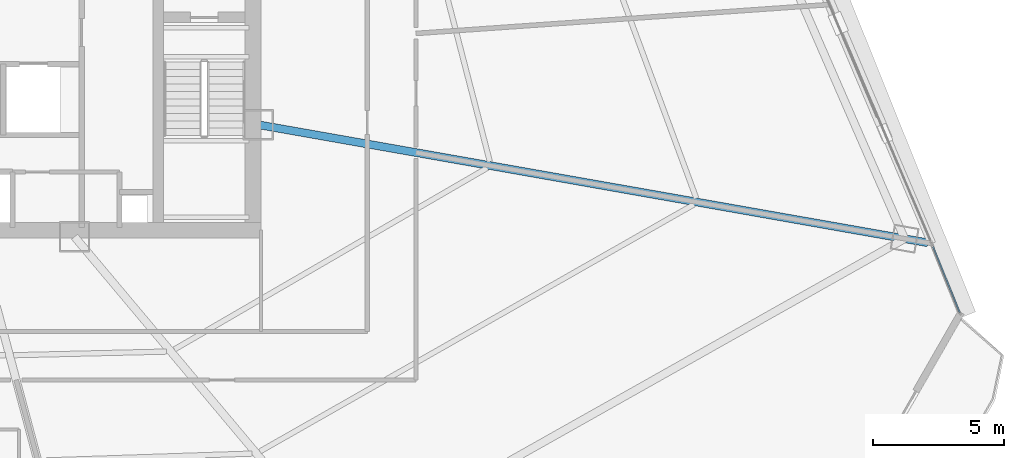
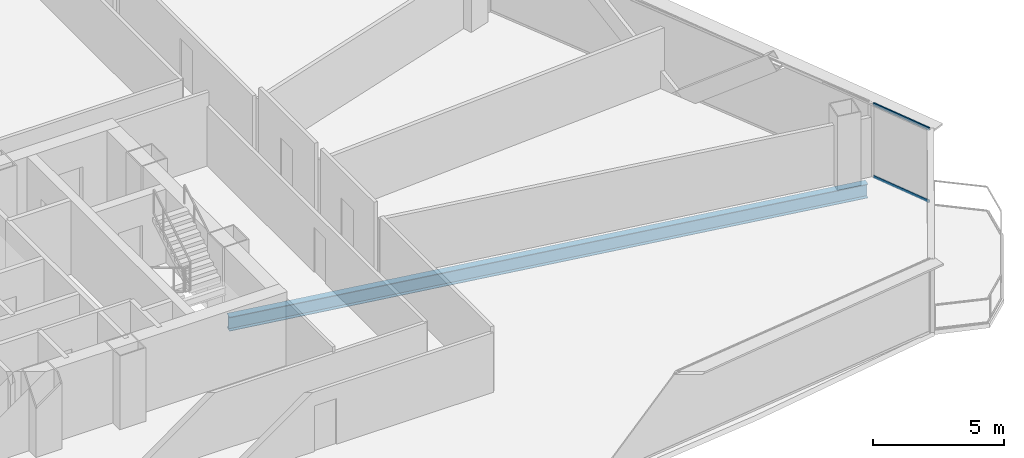
# One storey, part 25 of 39: 2 members, 1 beam, 1 element without a shape of its own.
"""IFC4 building model written with IfcOpenShell, lengths in metres."""

from ifc_helpers import new_model, si_unit, direction, frame, origin, origin_2d, place, context, subcontext, project, spatial, hollow_rectangle, i_section, extrude, source, transform, mapped, material, layer, layer_set, material_profile, profile_set, type_object, element, aggregate, save


model = new_model("IFC4")

# Units and contexts
model_context = context("Model", 3, precision=1e-05, world=origin(), true_north=direction((0.0, 1.0)))
body_context = subcontext(model_context, "Body", "Model", "MODEL_VIEW")
ifc_project = project(units=[si_unit("LENGTHUNIT", "METRE"), si_unit("AREAUNIT", "SQUARE_METRE"), si_unit("VOLUMEUNIT", "CUBIC_METRE"), si_unit("PLANEANGLEUNIT", "RADIAN"), si_unit("MASSUNIT", "GRAM", prefix="KILO"), si_unit("THERMODYNAMICTEMPERATUREUNIT", "KELVIN"), si_unit("POWERUNIT", "WATT")], contexts=[model_context])

# Site, building, storey
site_placement = place(None, origin())
site = spatial("IfcSite", under=ifc_project, at=site_placement, CompositionType="ELEMENT")
building_placement = place(site_placement, origin())
building = spatial("IfcBuilding", under=site, at=building_placement, Name="Yunzhuo Pagoda Commons", CompositionType="ELEMENT")
storey_placement = place(building_placement, frame((0.0, 0.0, 166.6298828125)))
storey = spatial("IfcBuildingStorey", under=building, at=storey_placement, Name="L42", CompositionType="ELEMENT", Elevation=166.6298828125)

# Beam
ifc_material_1 = material(Name="Structural steel Q355B", Category="steel")
ifc_material_profile_1 = material_profile(ifc_material_1, i_section(OverallWidth=0.300048828125, OverallDepth=0.64990234375, WebThickness=0.012939453125, FlangeThickness=0.02197265625, at=origin_2d()), Name="Structural steel Q355B")
ifc_profile_set_1 = profile_set([ifc_material_profile_1], Name="Structural steel Q355B")
beam_type = type_object("IfcBeamType", Name="B-RG2 Beam HN 650x300x13x22", PredefinedType="BEAM", material=ifc_profile_set_1)
shared_shape_1 = source(origin(), body_context, "Body", "SweptSolid", [
    extrude(i_section(OverallWidth=0.300048828125, OverallDepth=0.64990234375, WebThickness=0.012939453125, FlangeThickness=0.02197265625, at=origin_2d()), origin(), (0.0, 0.0, 1.0), 25.87158203125),
])
beam_placement = place(storey_placement, frame((85.87841796875, 27.02099609375, -0.5849609375), z_axis=(-0.98480853359, 0.173643750734, 0.0), x_axis=(-0.173643750734, -0.98480853359, 0.0)))
element("IfcBeam", 1, at=beam_placement, inside=storey, type_object=beam_type, Name="L42 radial floor girder F2C1", PredefinedType="BEAM", context=body_context, shape_type="MappedRepresentation", body=[
    mapped(shared_shape_1, transform((0.0, 0.0, 0.0), scale=1.0)),
])

# Curtain wall, members
ifc_material_2 = material(Name="Anodized aluminium 6063-T6", Category="aluminium")
ifc_layer = layer(ifc_material_2, 0.14990234375)
ifc_layer_set = layer_set([ifc_layer], Name="Anodized aluminium 6063-T6")
curtain_wall_type = type_object("IfcCurtainWallType", Name="CW-MID Mid-Zone Ribbon Curtain Wall", PredefinedType="NOTDEFINED", material=ifc_layer_set)
curtain_wall_placement = place(storey_placement, origin())
curtain_wall = element("IfcCurtainWall", 2, at=curtain_wall_placement, inside=storey, type_object=curtain_wall_type, Name="L42 curtain wall CW-L42-F2B1", PredefinedType="NOTDEFINED")
ifc_material_profile_2 = material_profile(ifc_material_2, hollow_rectangle(XDim=0.054931640625, YDim=0.1298828125, WallThickness=0.00341796875, at=origin_2d()), Name="Anodized aluminium 6063-T6")
ifc_profile_set_2 = profile_set([ifc_material_profile_2], Name="Anodized aluminium 6063-T6")
member_type = type_object("IfcMemberType", Name="CW-MID-T Transom RHS 130x55x3.5", PredefinedType="USERDEFINED", material=ifc_profile_set_2)
shared_shape_2 = source(origin(), body_context, "Body", "SweptSolid", [
    extrude(hollow_rectangle(XDim=0.054931640625, YDim=0.1298828125, WallThickness=0.00341796875, at=origin_2d()), origin(), (0.0, 0.0, 1.0), 2.6962890625),
])
member_1_placement = place(storey_placement, frame((87.093994140625, 24.369873046875, 0.027587890625), z_axis=(-0.375305747768, 0.926901071146, 0.0), x_axis=(-0.926901071146, -0.375305747768, 0.0)))
member_1 = element("IfcMember", 3, at=member_1_placement, type_object=member_type, Name="CW transom 1.1", ObjectType="TRANSOM", PredefinedType="USERDEFINED", context=body_context, shape_type="MappedRepresentation", body=[
    mapped(shared_shape_2, transform((0.0, 0.0, 0.0), scale=1.0)),
])
member_2_placement = place(storey_placement, frame((87.093994140625, 24.369873046875, 3.392578125), z_axis=(-0.375305747768, 0.926901071146, 0.0), x_axis=(-0.926901071146, -0.375305747768, 0.0)))
member_2 = element("IfcMember", 4, at=member_2_placement, type_object=member_type, Name="CW transom 1.2", ObjectType="TRANSOM", PredefinedType="USERDEFINED", context=body_context, shape_type="MappedRepresentation", body=[
    mapped(shared_shape_2, transform((0.0, 0.0, 0.0), scale=1.0)),
])
aggregate(curtain_wall, [member_1, member_2])

save(model, "model.ifc")
